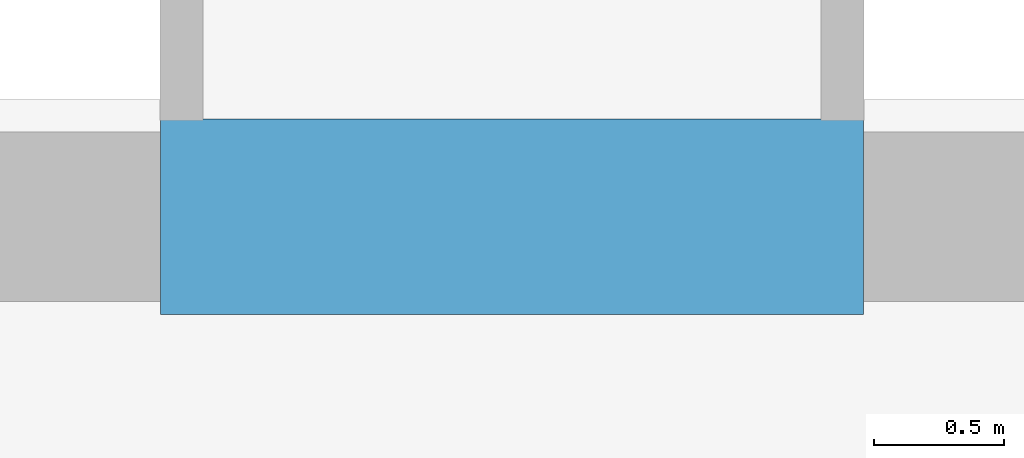
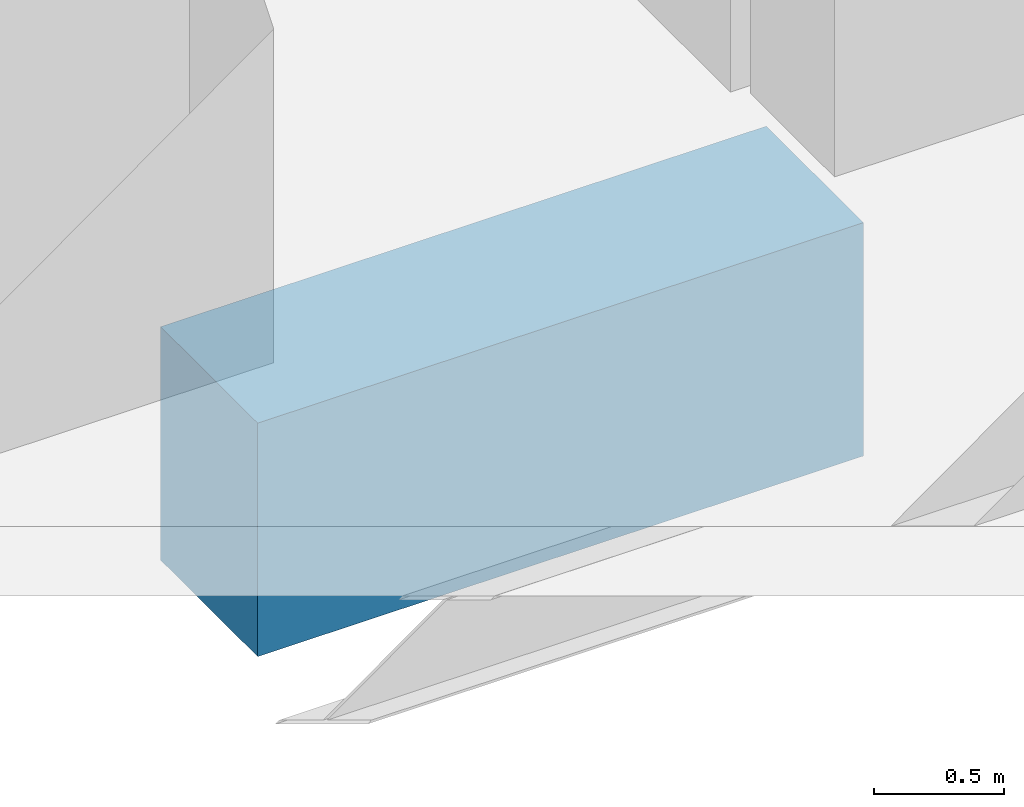
# One storey, part 8 of 32: 1 beam.
"""IFC4 building model written with IfcOpenShell, lengths in metres."""

from ifc_helpers import new_model, si_unit, direction, frame, origin, origin_2d, place, context, subcontext, project, spatial, rectangle, extrude, material, material_profile, profile_set, type_object, element, save


model = new_model("IFC4")

# Units and contexts
model_context = context("Model", 3, precision=1e-05, world=origin(), true_north=direction((0.0, 1.0)))
body_context = subcontext(model_context, "Body", "Model", "MODEL_VIEW")
ifc_project = project(units=[si_unit("LENGTHUNIT", "METRE"), si_unit("AREAUNIT", "SQUARE_METRE"), si_unit("VOLUMEUNIT", "CUBIC_METRE"), si_unit("PLANEANGLEUNIT", "RADIAN"), si_unit("MASSUNIT", "GRAM", prefix="KILO")], contexts=[model_context])

# Site, building, storey
site_placement = place(None, origin())
site = spatial("IfcSite", under=ifc_project, at=site_placement, CompositionType="ELEMENT")
building_placement = place(site_placement, origin())
building = spatial("IfcBuilding", under=site, at=building_placement, Name="Zuhayl Quay Hotel", CompositionType="ELEMENT")
storey_placement = place(building_placement, frame((0.0, 0.0, 203.64990234375)))
storey = spatial("IfcBuildingStorey", under=building, at=storey_placement, Name="L51", CompositionType="ELEMENT", Elevation=203.64990234375)

# Beam
ifc_material = material(Name="Concrete C60/75", Category="concrete")
ifc_material_profile = material_profile(ifc_material, rectangle(XDim=0.75, YDim=1.10009765625, at=origin_2d()), Name="RC750X1100")
ifc_profile_set = profile_set([ifc_material_profile], Name="Concrete C60/75")
beam_type = type_object("IfcBeamType", Name="BM_CB2_RC750", PredefinedType="T_BEAM", material=ifc_profile_set)
beam_placement = place(storey_placement, frame((-1.35009765625, 2.14990234375, -0.77001953125), z_axis=(1.0, 0.0, 0.0), x_axis=(0.0, 1.0, 0.0)))
element("IfcBeam", 1, at=beam_placement, inside=storey, type_object=beam_type, Name="L51 Core Coupling Beam South", PredefinedType="T_BEAM", context=body_context, shape_type="SweptSolid", body=[
    extrude(rectangle(XDim=0.75, YDim=1.10009765625, at=origin_2d()), origin(), (0.0, 0.0, 1.0), 2.7001953125),
])

save(model, "model.ifc")
